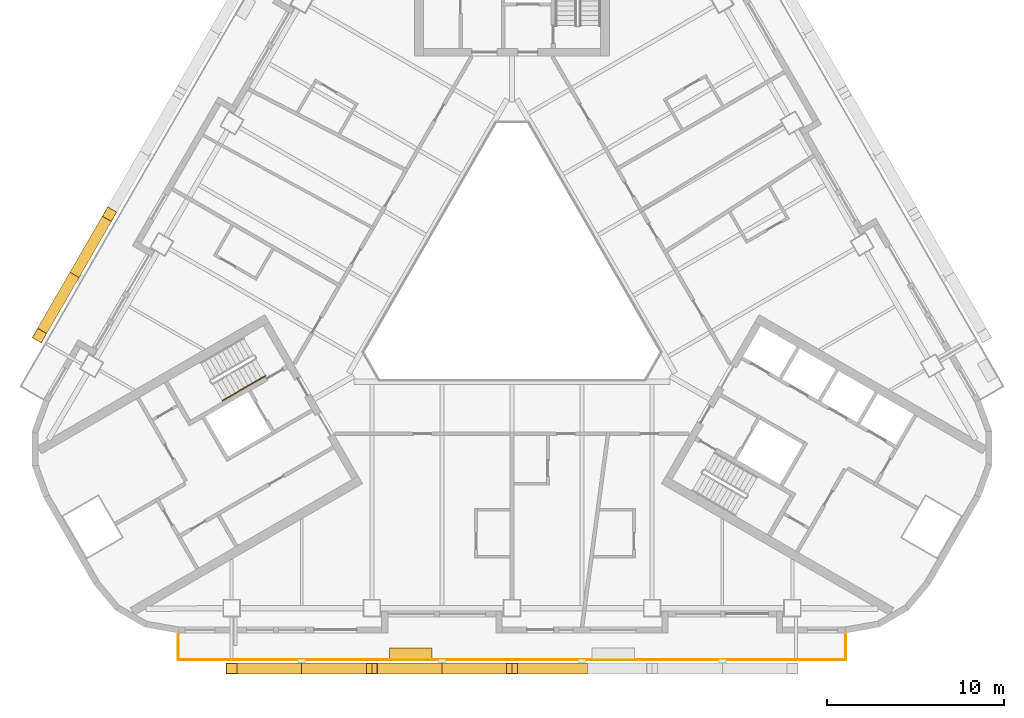
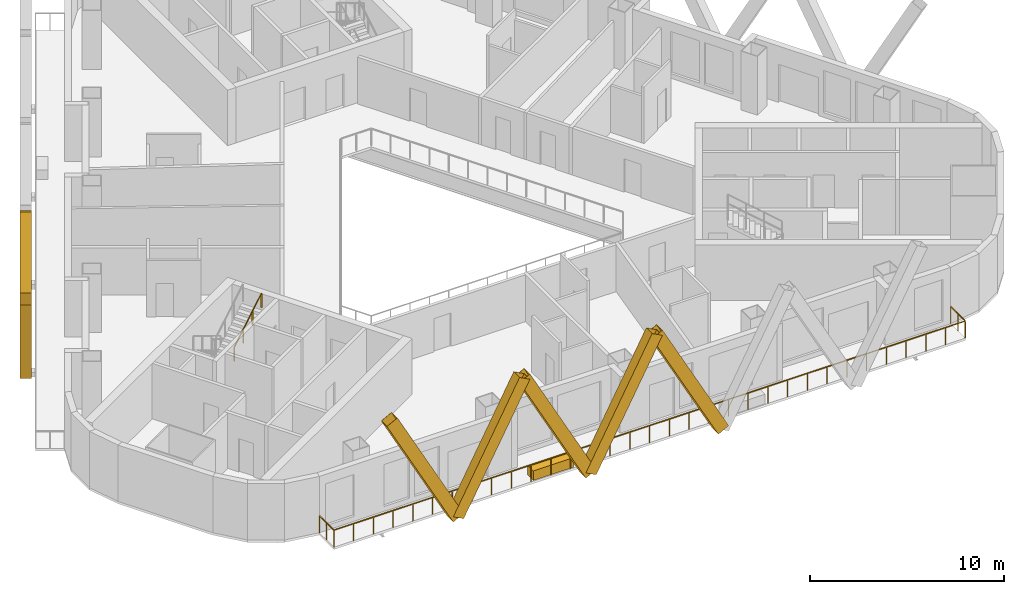
# One storey, part 8 of 13: 7 shading devices, 2 railings, 1 covering.
"""IFC4 building model written with IfcOpenShell, lengths in metres."""

from ifc_helpers import new_model, si_unit, direction, frame, origin, origin_2d, place, context, subcontext, project, spatial, rectangle, hollow_rectangle, circle, extrude, material, material_profile, profile_set, type_object, element, save


model = new_model("IFC4")

# Units and contexts
model_context = context("Model", 3, precision=1e-05, world=origin(), true_north=direction((0.0, 1.0)))
body_context = subcontext(model_context, "Body", "Model", "MODEL_VIEW")
ifc_project = project(units=[si_unit("LENGTHUNIT", "METRE"), si_unit("AREAUNIT", "SQUARE_METRE"), si_unit("VOLUMEUNIT", "CUBIC_METRE"), si_unit("PLANEANGLEUNIT", "RADIAN"), si_unit("MASSUNIT", "GRAM", prefix="KILO")], contexts=[model_context])

# Site, building, storey
site_placement = place(None, origin())
site = spatial("IfcSite", under=ifc_project, at=site_placement, CompositionType="ELEMENT")
building_placement = place(site_placement, origin())
building = spatial("IfcBuilding", under=site, at=building_placement, Name="Apuvela Tower Hotel", CompositionType="ELEMENT")
storey_placement = place(building_placement, frame((0.0, 0.0, 68.699951171875)))
storey = spatial("IfcBuildingStorey", under=building, at=storey_placement, Name="L14", CompositionType="ELEMENT", Elevation=68.699951171875)

# Railing
ifc_material_1 = material(Name="Stainless steel 316 handrail", Category="steel")
railing_type_1 = type_object("IfcRailingType", Name="COR-HANDRAIL-900", PredefinedType="HANDRAIL", material=ifc_material_1)
railing_1_placement = place(storey_placement, frame((-16.31884765625, -6.534912109375, 2.018310546875)))
element("IfcRailing", 1, at=railing_1_placement, inside=storey, type_object=railing_type_1, Name="L14 ST2 stair handrail 2", PredefinedType="HANDRAIL", context=body_context, shape_type="SweptSolid", body=[
    extrude(circle(Radius=0.02392578125, at=origin_2d()), frame((0.0, 0.0, 0.8759765625), z_axis=(0.74241905619, 0.428617687091, 0.514879426), x_axis=(-0.49998411664, 0.866034573852, 0.0)), (0.0, 0.0, 1.0), 3.26611328125),
    extrude(rectangle(XDim=0.0419921875, YDim=0.0419921875, at=origin_2d()), origin(), (0.0, 0.0, 1.0), 0.851806640625),
    extrude(rectangle(XDim=0.0419921875, YDim=0.0419921875, at=origin_2d()), frame((0.808349609375, 0.466552734375, 0.560546875)), (0.0, 0.0, 1.0), 0.851806640625),
    extrude(rectangle(XDim=0.0419921875, YDim=0.0419921875, at=origin_2d()), frame((1.616455078125, 0.933349609375, 1.12109375)), (0.0, 0.0, 1.0), 0.851806640625),
    extrude(rectangle(XDim=0.0419921875, YDim=0.0419921875, at=origin_2d()), frame((2.4248046875, 1.39990234375, 1.681640625)), (0.0, 0.0, 1.0), 0.851806640625),
])

# Shading devices
ifc_material_2 = material(Name="Aluminium 6063-T6, black anodised", Category="aluminium")
ifc_material_profile = material_profile(ifc_material_2, hollow_rectangle(XDim=0.60009765625, YDim=0.699951171875, WallThickness=0.011962890625, at=origin_2d()), Name="AL BOX 700x600x12")
ifc_profile_set = profile_set([ifc_material_profile], Name="Aluminium 6063-T6, black anodised")
shading_device_type = type_object("IfcShadingDeviceType", Name="ENV-FIN-700x600", PredefinedType="USERDEFINED", material=ifc_profile_set)
for number, where, z_axis, x_axis, name in (
    (2, (-11.85009765625, -21.6298828125, -0.099853515625), (-0.470897892863, 0.0, 0.882187720668), (0.0, -1.0, 0.0), "Lattice fin S25"),
    (3, (-11.85009765625, -21.6298828125, -0.099853515625), (0.470920543904, 0.0, 0.882175629526), (0.0, 1.0, 0.0), "Lattice fin S26"),
    (4, (-3.949951171875, -21.6298828125, -0.099853515625), (-0.470897892863, 0.0, 0.882187720668), (0.0, -1.0, 0.0), "Lattice fin S27"),
    (5, (-3.949951171875, -21.6298828125, -0.099853515625), (0.470897892863, 0.0, 0.882187720668), (0.0, 1.0, 0.0), "Lattice fin S28"),
    (6, (3.949951171875, -21.6298828125, -0.099853515625), (-0.470897892863, 0.0, 0.882187720668), (0.0, -1.0, 0.0), "Lattice fin S29"),
    (7, (-24.656982421875, 0.552490234375, -0.099853515625), (0.235433593518, 0.407824887177, 0.882184722404), (-0.866047669374, 0.499961432884, 0.0), "Lattice fin NW127"),
    (8, (-24.656982421875, 0.552490234375, -0.099853515625), (-0.235463880167, -0.407797827568, 0.882189148067), (0.866005453737, -0.500034552904, 0.0), "Lattice fin NW128"),
):
    element("IfcShadingDevice", number, at=place(storey_placement, frame(where, z_axis=z_axis, x_axis=x_axis)), inside=storey, type_object=shading_device_type, Name=name, ObjectType="FIN", PredefinedType="USERDEFINED", context=body_context, shape_type="SweptSolid", body=[
        extrude(hollow_rectangle(XDim=0.60009765625, YDim=0.699951171875, WallThickness=0.011962890625, at=origin_2d()), origin(), (0.0, 0.0, 1.0), 8.38818359375),
    ])

# Railing
ifc_material_3 = material(Name="Stainless steel 316 rail with laminated glass infill", Category="steel")
railing_type_2 = type_object("IfcRailingType", Name="ENV-GUARD-1100", PredefinedType="GUARDRAIL", material=ifc_material_3)
railing_2_placement = place(storey_placement, frame((-18.81591796875, -19.6298828125, 0.0)))
element("IfcRailing", 9, at=railing_2_placement, inside=storey, type_object=railing_type_2, Name="Balcony guard S L14", PredefinedType="GUARDRAIL", context=body_context, shape_type="SweptSolid", body=[
    extrude(rectangle(XDim=0.050048828125, YDim=0.050048828125, at=origin_2d()), frame((0.0, 0.0, 1.0751953125), z_axis=(0.0, -1.0, 0.0), x_axis=(1.0, 0.0, 0.0)), (0.0, 0.0, 1.0), 1.5),
    extrude(rectangle(XDim=0.050048828125, YDim=0.050048828125, at=origin_2d()), frame((0.0, -1.5, 1.0751953125), z_axis=(1.0, 0.0, 0.0), x_axis=(0.0, 1.0, 0.0)), (0.0, 0.0, 1.0), 37.6318359375),
    extrude(rectangle(XDim=0.050048828125, YDim=0.050048828125, at=origin_2d()), frame((37.6318359375, -1.5, 1.0751953125), z_axis=(0.0, 1.0, 0.0), x_axis=(-1.0, 0.0, 0.0)), (0.0, 0.0, 1.0), 1.5),
    extrude(rectangle(XDim=0.0400390625, YDim=0.0400390625, at=origin_2d()), origin(), (0.0, 0.0, 1.0), 1.050048828125),
    extrude(rectangle(XDim=0.0400390625, YDim=0.0400390625, at=origin_2d()), frame((0.0, -0.75, 0.0)), (0.0, 0.0, 1.0), 1.050048828125),
    extrude(rectangle(XDim=0.0400390625, YDim=0.0400390625, at=origin_2d()), frame((0.0, -1.5, 0.0)), (0.0, 0.0, 1.0), 1.050048828125),
    extrude(rectangle(XDim=0.0400390625, YDim=0.0400390625, at=origin_2d()), frame((1.176025390625, -1.5, 0.0)), (0.0, 0.0, 1.0), 1.050048828125),
    extrude(rectangle(XDim=0.0400390625, YDim=0.0400390625, at=origin_2d()), frame((2.35205078125, -1.5, 0.0)), (0.0, 0.0, 1.0), 1.050048828125),
    extrude(rectangle(XDim=0.0400390625, YDim=0.0400390625, at=origin_2d()), frame((3.528076171875, -1.5, 0.0)), (0.0, 0.0, 1.0), 1.050048828125),
    extrude(rectangle(XDim=0.0400390625, YDim=0.0400390625, at=origin_2d()), frame((4.7041015625, -1.5, 0.0)), (0.0, 0.0, 1.0), 1.050048828125),
    extrude(rectangle(XDim=0.0400390625, YDim=0.0400390625, at=origin_2d()), frame((5.8798828125, -1.5, 0.0)), (0.0, 0.0, 1.0), 1.050048828125),
    extrude(rectangle(XDim=0.0400390625, YDim=0.0400390625, at=origin_2d()), frame((7.055908203125, -1.5, 0.0)), (0.0, 0.0, 1.0), 1.050048828125),
    extrude(rectangle(XDim=0.0400390625, YDim=0.0400390625, at=origin_2d()), frame((8.23193359375, -1.5, 0.0)), (0.0, 0.0, 1.0), 1.050048828125),
    extrude(rectangle(XDim=0.0400390625, YDim=0.0400390625, at=origin_2d()), frame((9.407958984375, -1.5, 0.0)), (0.0, 0.0, 1.0), 1.050048828125),
    extrude(rectangle(XDim=0.0400390625, YDim=0.0400390625, at=origin_2d()), frame((10.583984375, -1.5, 0.0)), (0.0, 0.0, 1.0), 1.050048828125),
    extrude(rectangle(XDim=0.0400390625, YDim=0.0400390625, at=origin_2d()), frame((11.760009765625, -1.5, 0.0)), (0.0, 0.0, 1.0), 1.050048828125),
    extrude(rectangle(XDim=0.0400390625, YDim=0.0400390625, at=origin_2d()), frame((12.93603515625, -1.5, 0.0)), (0.0, 0.0, 1.0), 1.050048828125),
    extrude(rectangle(XDim=0.0400390625, YDim=0.0400390625, at=origin_2d()), frame((14.11181640625, -1.5, 0.0)), (0.0, 0.0, 1.0), 1.050048828125),
    extrude(rectangle(XDim=0.0400390625, YDim=0.0400390625, at=origin_2d()), frame((15.287841796875, -1.5, 0.0)), (0.0, 0.0, 1.0), 1.050048828125),
    extrude(rectangle(XDim=0.0400390625, YDim=0.0400390625, at=origin_2d()), frame((16.4638671875, -1.5, 0.0)), (0.0, 0.0, 1.0), 1.050048828125),
    extrude(rectangle(XDim=0.0400390625, YDim=0.0400390625, at=origin_2d()), frame((17.639892578125, -1.5, 0.0)), (0.0, 0.0, 1.0), 1.050048828125),
    extrude(rectangle(XDim=0.0400390625, YDim=0.0400390625, at=origin_2d()), frame((18.81591796875, -1.5, 0.0)), (0.0, 0.0, 1.0), 1.050048828125),
    extrude(rectangle(XDim=0.0400390625, YDim=0.0400390625, at=origin_2d()), frame((19.991943359375, -1.5, 0.0)), (0.0, 0.0, 1.0), 1.050048828125),
    extrude(rectangle(XDim=0.0400390625, YDim=0.0400390625, at=origin_2d()), frame((21.16796875, -1.5, 0.0)), (0.0, 0.0, 1.0), 1.050048828125),
    extrude(rectangle(XDim=0.0400390625, YDim=0.0400390625, at=origin_2d()), frame((22.343994140625, -1.5, 0.0)), (0.0, 0.0, 1.0), 1.050048828125),
    extrude(rectangle(XDim=0.0400390625, YDim=0.0400390625, at=origin_2d()), frame((23.52001953125, -1.5, 0.0)), (0.0, 0.0, 1.0), 1.050048828125),
    extrude(rectangle(XDim=0.0400390625, YDim=0.0400390625, at=origin_2d()), frame((24.69580078125, -1.5, 0.0)), (0.0, 0.0, 1.0), 1.050048828125),
    extrude(rectangle(XDim=0.0400390625, YDim=0.0400390625, at=origin_2d()), frame((25.871826171875, -1.5, 0.0)), (0.0, 0.0, 1.0), 1.050048828125),
    extrude(rectangle(XDim=0.0400390625, YDim=0.0400390625, at=origin_2d()), frame((27.0478515625, -1.5, 0.0)), (0.0, 0.0, 1.0), 1.050048828125),
    extrude(rectangle(XDim=0.0400390625, YDim=0.0400390625, at=origin_2d()), frame((28.223876953125, -1.5, 0.0)), (0.0, 0.0, 1.0), 1.050048828125),
    extrude(rectangle(XDim=0.0400390625, YDim=0.0400390625, at=origin_2d()), frame((29.39990234375, -1.5, 0.0)), (0.0, 0.0, 1.0), 1.050048828125),
    extrude(rectangle(XDim=0.0400390625, YDim=0.0400390625, at=origin_2d()), frame((30.575927734375, -1.5, 0.0)), (0.0, 0.0, 1.0), 1.050048828125),
    extrude(rectangle(XDim=0.0400390625, YDim=0.0400390625, at=origin_2d()), frame((31.751953125, -1.5, 0.0)), (0.0, 0.0, 1.0), 1.050048828125),
    extrude(rectangle(XDim=0.0400390625, YDim=0.0400390625, at=origin_2d()), frame((32.927734375, -1.5, 0.0)), (0.0, 0.0, 1.0), 1.050048828125),
    extrude(rectangle(XDim=0.0400390625, YDim=0.0400390625, at=origin_2d()), frame((34.103759765625, -1.5, 0.0)), (0.0, 0.0, 1.0), 1.050048828125),
    extrude(rectangle(XDim=0.0400390625, YDim=0.0400390625, at=origin_2d()), frame((35.27978515625, -1.5, 0.0)), (0.0, 0.0, 1.0), 1.050048828125),
    extrude(rectangle(XDim=0.0400390625, YDim=0.0400390625, at=origin_2d()), frame((36.455810546875, -1.5, 0.0)), (0.0, 0.0, 1.0), 1.050048828125),
    extrude(rectangle(XDim=0.0400390625, YDim=0.0400390625, at=origin_2d()), frame((37.6318359375, -1.5, 0.0)), (0.0, 0.0, 1.0), 1.050048828125),
    extrude(rectangle(XDim=0.0400390625, YDim=0.0400390625, at=origin_2d()), frame((37.6318359375, -0.75, 0.0)), (0.0, 0.0, 1.0), 1.050048828125),
    extrude(rectangle(XDim=0.0400390625, YDim=0.0400390625, at=origin_2d()), frame((37.6318359375, 0.0, 0.0)), (0.0, 0.0, 1.0), 1.050048828125),
])

# Covering
ifc_material_4 = material(Name="Planting substrate and soil, planted")
covering_type = type_object("IfcCoveringType", Name="ENV-PLANTER-2400x600", PredefinedType="USERDEFINED", material=ifc_material_4)
covering_placement = place(storey_placement, frame((-5.69970703125, -20.780029296875, 0.0), z_axis=(0.0, 0.0, 1.0), x_axis=(1.0, 0.0, 0.0)))
element("IfcCovering", 10, at=covering_placement, inside=storey, type_object=covering_type, Name="Planter S1", ObjectType="PLANTER", PredefinedType="USERDEFINED", context=body_context, shape_type="SweptSolid", body=[
    extrude(rectangle(XDim=2.39990234375, YDim=0.60009765625, at=origin_2d()), origin(), (0.0, 0.0, 1.0), 0.60009765625),
])

save(model, "model.ifc")
